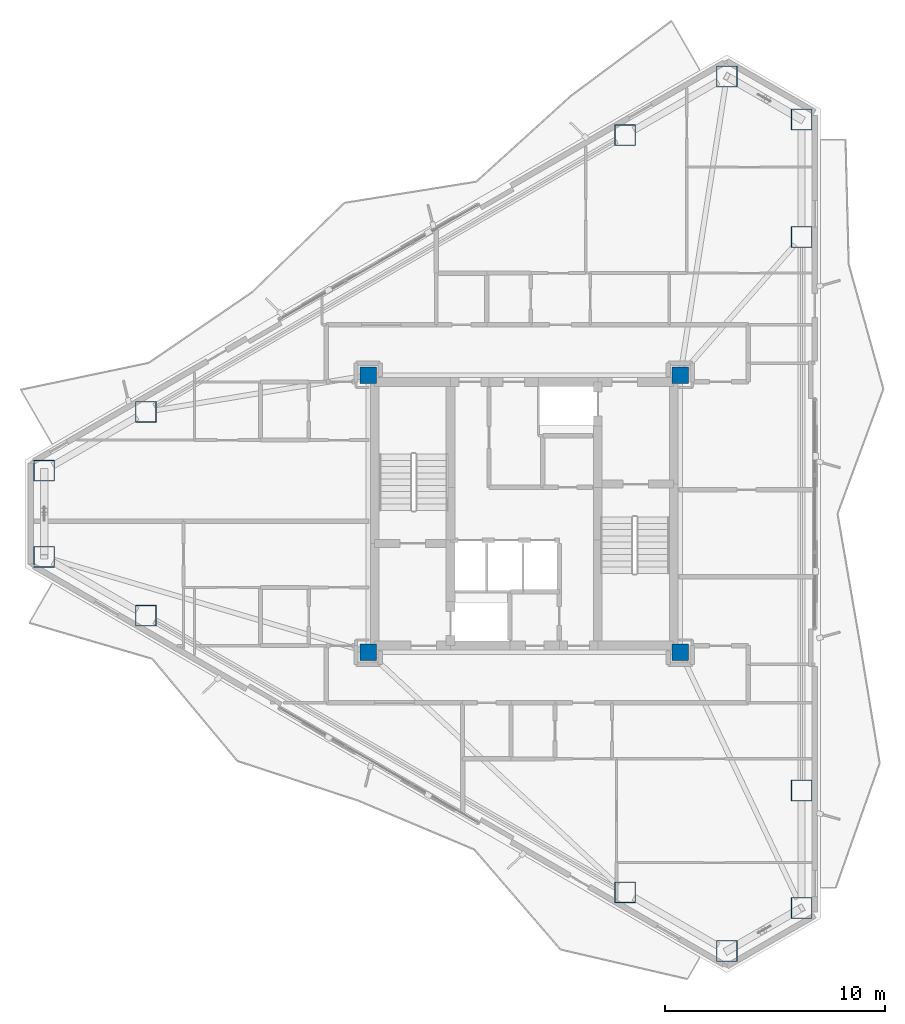
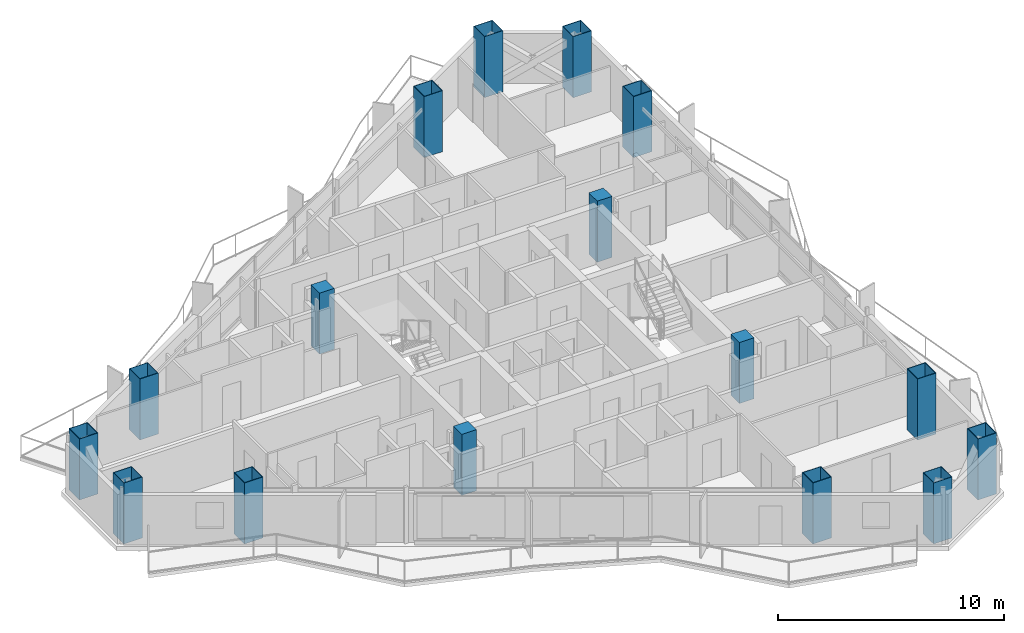
# One storey, part 1 of 19: 16 columns.
"""IFC4 building model written with IfcOpenShell, lengths in metres."""

import ifcopenshell
import ifcopenshell.guid

model = None  # the IFC model being written
_history = None  # IfcOwnerHistory: only IFC2X3 demands one
_inside = {}  # id of a spatial element -> (the spatial element, [elements in it])
_under = {}  # id of a project, library or spatial element -> (it, [spatial elements below it])
_declared = {}  # id of a project -> (the project, [libraries it declares])
_typed = {}  # id of a type object -> (the type object, [elements of that type])
_made_of = {}  # id of a material, layer set ... -> (it, [elements and type objects made of it])


def new_model(schema):
    """Start an empty IFC model of exactly this schema.

    Asked for "IFC4X3", IfcOpenShell would pick the latest addendum, in which some entities
    have other attributes; the version numbers below select the first issue.
    IFC2X3 requires an IfcOwnerHistory on every rooted entity: one is made here for all.
    """
    global model, _history
    if schema == "IFC4X3":
        model = ifcopenshell.file(schema_version=(4, 3, 0, 0))
    else:
        model = ifcopenshell.file(schema=schema)
    _inside.clear()
    _under.clear()
    _declared.clear()
    _typed.clear()
    _made_of.clear()
    _history = None
    if model.schema == "IFC2X3":
        org = make("IfcOrganization", Name="unknown")
        user = make(
            "IfcPersonAndOrganization",
            ThePerson=make("IfcPerson", FamilyName="unknown"),
            TheOrganization=org,
        )
        app = make(
            "IfcApplication",
            ApplicationDeveloper=org,
            Version="unknown",
            ApplicationFullName="unknown",
            ApplicationIdentifier="unknown",
        )
        _history = make(
            "IfcOwnerHistory",
            OwningUser=user,
            OwningApplication=app,
            ChangeAction="ADDED",
            CreationDate=0,
        )
    return model


def make(cls, **values):
    """One entity of the class cls with the attributes given. An attribute that is None is left unset."""
    return model.create_entity(
        cls, **{name: value for name, value in values.items() if value is not None}
    )


def rooted(cls, **values):
    """An entity with a GlobalId (a new one), such as an element, a storey or a relation."""
    return make(cls, GlobalId=ifcopenshell.guid.new(), OwnerHistory=_history, **values)


def si_unit(unit_type, name, prefix=None):
    """IfcSIUnit, for example si_unit("LENGTHUNIT", "METRE", prefix="MILLI")."""
    return make("IfcSIUnit", UnitType=unit_type, Prefix=prefix, Name=name)


def assignment(units):
    """IfcUnitAssignment: the units of a project."""
    return None if units is None else make("IfcUnitAssignment", Units=units)


def point(xyz):
    """IfcCartesianPoint."""
    return None if xyz is None else make("IfcCartesianPoint", Coordinates=xyz)


def direction(xyz):
    """IfcDirection."""
    return None if xyz is None else make("IfcDirection", DirectionRatios=xyz)


def frame(location, z_axis=None, x_axis=None):
    """IfcAxis2Placement3D, a coordinate frame: its origin and axes. An axis left out is left unset."""
    return make(
        "IfcAxis2Placement3D",
        Location=point(location),
        Axis=direction(z_axis),
        RefDirection=direction(x_axis),
    )


def frame_2d(location, x_axis=None):
    """IfcAxis2Placement2D, a coordinate frame in the plane: its origin and x axis."""
    return make(
        "IfcAxis2Placement2D", Location=point(location), RefDirection=direction(x_axis)
    )


def origin():
    """The frame at (0, 0, 0) with its axes left unset."""
    return frame((0.0, 0.0, 0.0))


def origin_2d():
    """The frame at (0, 0) in the plane with its x axis left unset."""
    return frame_2d((0.0, 0.0))


def place(relative_to, where):
    """IfcLocalPlacement: puts the frame where relative to a parent placement (None: the world)."""
    return make(
        "IfcLocalPlacement", PlacementRelTo=relative_to, RelativePlacement=where
    )


def context(
    kind, dimensions, precision=None, world=None, true_north=None, identifier=None
):
    """IfcGeometricRepresentationContext, for example the 3D "Model" context."""
    return make(
        "IfcGeometricRepresentationContext",
        ContextIdentifier=identifier,
        ContextType=kind,
        CoordinateSpaceDimension=dimensions,
        Precision=precision,
        WorldCoordinateSystem=world,
        TrueNorth=true_north,
    )


def subcontext(parent, identifier, kind, view, scale=None):
    """IfcGeometricRepresentationSubContext, for example "Body" below "Model"."""
    return make(
        "IfcGeometricRepresentationSubContext",
        ContextIdentifier=identifier,
        ContextType=kind,
        ParentContext=parent,
        TargetScale=scale,
        TargetView=view,
    )


def project(units=None, contexts=None):
    """IfcProject with its units and contexts."""
    return rooted(
        "IfcProject",
        Name="project",
        RepresentationContexts=contexts,
        UnitsInContext=assignment(units),
    )


def spatial(cls, under=None, at=None, **own):
    """A site, building, storey or space (cls), placed at a placement, below another one or the project."""
    s = rooted(cls, ObjectPlacement=at, **own)
    if under is not None:
        _under.setdefault(under.id(), (under, []))[1].append(s)
    return s


def profile(cls, at=None, kind="AREA", **sizes):
    """A parametric profile (cls). Its sizes go by their IFC names, for example OverallWidth=200.0."""
    return make(cls, ProfileType=kind, Position=at, **sizes)


def rectangle(**sizes):
    """IfcRectangleProfileDef."""
    return profile("IfcRectangleProfileDef", **sizes)


def hollow_rectangle(**sizes):
    """IfcRectangleHollowProfileDef."""
    return profile("IfcRectangleHollowProfileDef", **sizes)


def extrude(swept, where, along, depth):
    """IfcExtrudedAreaSolid: the profile swept, set in the frame where, extruded along a direction by depth."""
    return make(
        "IfcExtrudedAreaSolid",
        SweptArea=swept,
        Position=where,
        ExtrudedDirection=direction(along),
        Depth=depth,
    )


def shape(context_of_items, identifier, shape_type, items):
    """IfcShapeRepresentation: the items that make up one representation, for example the "Body"."""
    return make(
        "IfcShapeRepresentation",
        ContextOfItems=context_of_items,
        RepresentationIdentifier=identifier,
        RepresentationType=shape_type,
        Items=items,
    )


def material(Name=None, Category=None):
    """IfcMaterial."""
    return make("IfcMaterial", Name=Name, Category=Category)


def material_profile(
    of_material, cross_section, Name=None, Category=None, Priority=None
):
    """IfcMaterialProfile: a cross section and its material."""
    return make(
        "IfcMaterialProfile",
        Name=Name,
        Material=of_material,
        Profile=cross_section,
        Priority=Priority,
        Category=Category,
    )


def profile_set(profiles, Name=None, composite=None):
    """IfcMaterialProfileSet."""
    return make(
        "IfcMaterialProfileSet",
        Name=Name,
        MaterialProfiles=profiles,
        CompositeProfile=composite,
    )


def made_of(thing, what):
    """Note that an element or type object is made of a material, layer set ...; save() writes the relation."""
    if what is not None:
        _made_of.setdefault(what.id(), (what, []))[1].append(thing)
    return thing


def type_object(cls, material=None, **own):
    """A type object (cls), such as IfcWallType, which elements share."""
    return made_of(rooted(cls, **own), material)


def element(
    cls,
    number,
    at=None,
    inside=None,
    cuts=None,
    type_object=None,
    material=None,
    context=None,
    identifier="Body",
    shape_type=None,
    held_by="IfcProductDefinitionShape",
    body=None,
    shapes=None,
    **own,
):
    """One element of the class cls, such as IfcWall. Its Tag is "e" and its number.

    at: its placement. inside: the storey or other place that contains it. cuts: it is an
    opening in that element (IfcRelVoidsElement). A single representation is given by context,
    identifier, shape_type and body (its items); several are given by shapes. held_by: the class
    of the entity that holds the representations. save() writes the other relations.
    """
    e = rooted(cls, Tag="e%d" % number, ObjectPlacement=at, **own)
    if body is not None:
        shapes = [shape(context, identifier, shape_type, body)]
    if shapes is not None:
        e.Representation = make(held_by, Representations=shapes)
    if inside is not None:
        _inside.setdefault(inside.id(), (inside, []))[1].append(e)
    if cuts is not None:
        rooted(
            "IfcRelVoidsElement", RelatingBuildingElement=cuts, RelatedOpeningElement=e
        )
    if type_object is not None:
        _typed.setdefault(type_object.id(), (type_object, []))[1].append(e)
    return made_of(e, material)


def aggregate(whole, parts):
    """IfcRelAggregates: a whole, such as a stair, and the parts it consists of."""
    return rooted("IfcRelAggregates", RelatingObject=whole, RelatedObjects=parts)


def save(model, path):
    """Write the relations noted so far, then the file.

    IfcRelAggregates (storeys below a building ...), IfcRelContainedInSpatialStructure (elements
    in a storey), IfcRelDefinesByType, IfcRelAssociatesMaterial and IfcRelDeclares: one each for
    every whole, place, type object, material and project.
    """
    for whole, parts in _under.values():
        aggregate(whole, parts)
    for where, things in _inside.values():
        rooted(
            "IfcRelContainedInSpatialStructure",
            RelatedElements=things,
            RelatingStructure=where,
        )
    for kind, things in _typed.values():
        rooted("IfcRelDefinesByType", RelatedObjects=things, RelatingType=kind)
    for what, things in _made_of.values():
        rooted("IfcRelAssociatesMaterial", RelatedObjects=things, RelatingMaterial=what)
    for by, libraries in _declared.values():
        rooted("IfcRelDeclares", RelatingContext=by, RelatedDefinitions=libraries)
    model.write(path)


model = new_model("IFC4")

# Units and contexts
model_context = context("Model", 3, precision=1e-05, world=origin(), true_north=direction((0.0, 1.0)))
body_context = subcontext(model_context, "Body", "Model", "MODEL_VIEW")
ifc_project = project(units=[si_unit("LENGTHUNIT", "METRE"), si_unit("AREAUNIT", "SQUARE_METRE"), si_unit("VOLUMEUNIT", "CUBIC_METRE"), si_unit("PLANEANGLEUNIT", "RADIAN"), si_unit("MASSUNIT", "GRAM", prefix="KILO")], contexts=[model_context])

# Site, building, storey
site_placement = place(None, origin())
site = spatial("IfcSite", under=ifc_project, at=site_placement, CompositionType="ELEMENT")
building_placement = place(site_placement, origin())
building = spatial("IfcBuilding", under=site, at=building_placement, Name="Mersakhor Tower and Convention Hall", CompositionType="ELEMENT")
storey_placement = place(building_placement, frame((0.0, 0.0, 124.5)))
storey = spatial("IfcBuildingStorey", under=building, at=storey_placement, Name="L34", CompositionType="ELEMENT", Elevation=124.5)

# Columns
ifc_material_1 = material(Name="Concrete C60/75 in S460M steel box", Category="concrete")
ifc_material_profile_1 = material_profile(ifc_material_1, hollow_rectangle(XDim=0.949951171875, YDim=0.949951171875, WallThickness=0.028076171875, at=origin_2d()), Name="SHS 950x950x28")
ifc_profile_set_1 = profile_set([ifc_material_profile_1], Name="Concrete C60/75 in S460M steel box")
column_type_1 = type_object("IfcColumnType", Name="COL-CFT-950", PredefinedType="COLUMN", material=ifc_profile_set_1)
for number, where, z_axis, x_axis, name in (
    (1, (7.160400390625, 28.71240234375, 0.0), (0.0, 0.0, 1.0), (1.0, 0.0, 0.0), "L34 Perimeter Mega-Column MC-01"),
    (2, (11.788330078125, 31.38427734375, 0.0), (0.0, 0.0, 1.0), (1.0, 0.0, 0.0), "L34 Perimeter Mega-Column MC-02"),
    (3, (33.592529296875, 43.972900390625, 0.0), (0.0, 0.0, 1.0), (1.0, 0.0, 0.0), "L34 Perimeter Mega-Column MC-03"),
    (4, (38.220458984375, 46.644775390625, 0.0), (0.0, 0.0, 1.0), (1.0, 0.0, 0.0), "L34 Perimeter Mega-Column MC-04"),
    (5, (41.619140625, 44.6826171875, 0.0), (0.0, 0.0, 1.0), (1.0, 0.0, 0.0), "L34 Perimeter Mega-Column MC-05"),
    (6, (41.619140625, 39.338623046875, 0.0), (0.0, 0.0, 1.0), (1.0, 0.0, 0.0), "L34 Perimeter Mega-Column MC-06"),
    (7, (41.619140625, 14.161376953125, 0.0), (0.0, 0.0, 1.0), (1.0, 0.0, 0.0), "L34 Perimeter Mega-Column MC-07"),
    (8, (41.619140625, 8.8173828125, 0.0), (0.0, 0.0, 1.0), (1.0, 0.0, 0.0), "L34 Perimeter Mega-Column MC-08"),
    (9, (38.220458984375, 6.855224609375, 0.0), (0.0, 0.0, 1.0), (1.0, 0.0, 0.0), "L34 Perimeter Mega-Column MC-09"),
    (10, (33.592529296875, 9.527099609375, 0.0), (0.0, 0.0, 1.0), (1.0, 0.0, 0.0), "L34 Perimeter Mega-Column MC-10"),
    (11, (11.788330078125, 22.11572265625, 0.0), (0.0, 0.0, 1.0), (1.0, 0.0, 0.0), "L34 Perimeter Mega-Column MC-11"),
    (12, (7.160400390625, 24.78759765625, 0.0), (0.0, 0.0, 1.0), (1.0, 0.0, 0.0), "L34 Perimeter Mega-Column MC-12"),
):
    element("IfcColumn", number, at=place(storey_placement, frame(where, z_axis=z_axis, x_axis=x_axis)), inside=storey, type_object=column_type_1, Name=name, PredefinedType="COLUMN", context=body_context, shape_type="SweptSolid", body=[
        extrude(hollow_rectangle(XDim=0.949951171875, YDim=0.949951171875, WallThickness=0.028076171875, at=origin_2d()), origin(), (0.0, 0.0, 1.0), 3.300048828125),
    ])
ifc_material_2 = material(Name="Concrete C50/60", Category="concrete")
ifc_material_profile_2 = material_profile(ifc_material_2, rectangle(XDim=0.75, YDim=0.75, at=origin_2d()), Name="RC 750x750")
ifc_profile_set_2 = profile_set([ifc_material_profile_2], Name="Concrete C50/60")
column_type_2 = type_object("IfcColumnType", Name="COL-RC-750", PredefinedType="COLUMN", material=ifc_profile_set_2)
for number, where, z_axis, x_axis, name in (
    (13, (21.89990234375, 20.449951171875, 0.0), (0.0, 0.0, 1.0), (1.0, 0.0, 0.0), "L34 Core Corner Column CC-1"),
    (14, (21.89990234375, 33.050048828125, 0.0), (0.0, 0.0, 1.0), (1.0, 0.0, 0.0), "L34 Core Corner Column CC-2"),
    (15, (36.10009765625, 33.050048828125, 0.0), (0.0, 0.0, 1.0), (1.0, 0.0, 0.0), "L34 Core Corner Column CC-3"),
    (16, (36.10009765625, 20.449951171875, 0.0), (0.0, 0.0, 1.0), (1.0, 0.0, 0.0), "L34 Core Corner Column CC-4"),
):
    element("IfcColumn", number, at=place(storey_placement, frame(where, z_axis=z_axis, x_axis=x_axis)), inside=storey, type_object=column_type_2, Name=name, PredefinedType="COLUMN", context=body_context, shape_type="SweptSolid", body=[
        extrude(rectangle(XDim=0.75, YDim=0.75, at=origin_2d()), origin(), (0.0, 0.0, 1.0), 3.300048828125),
    ])

save(model, "model.ifc")
